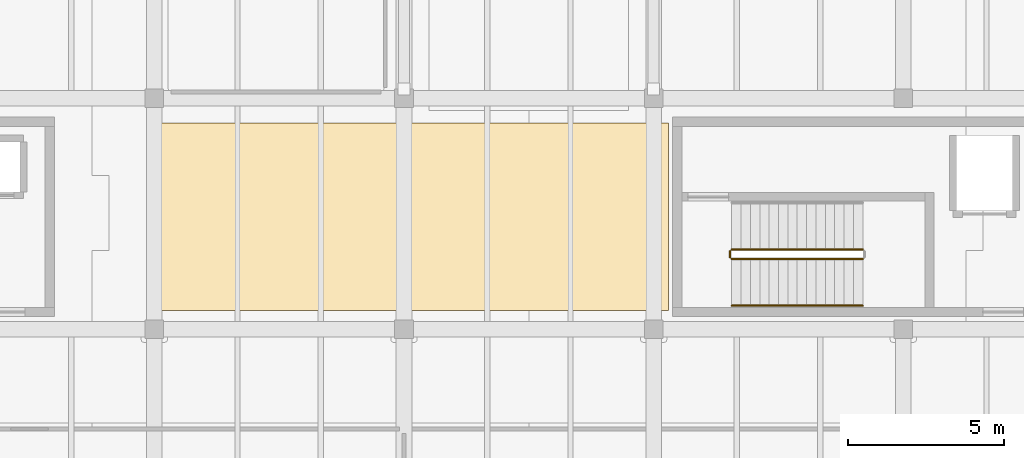
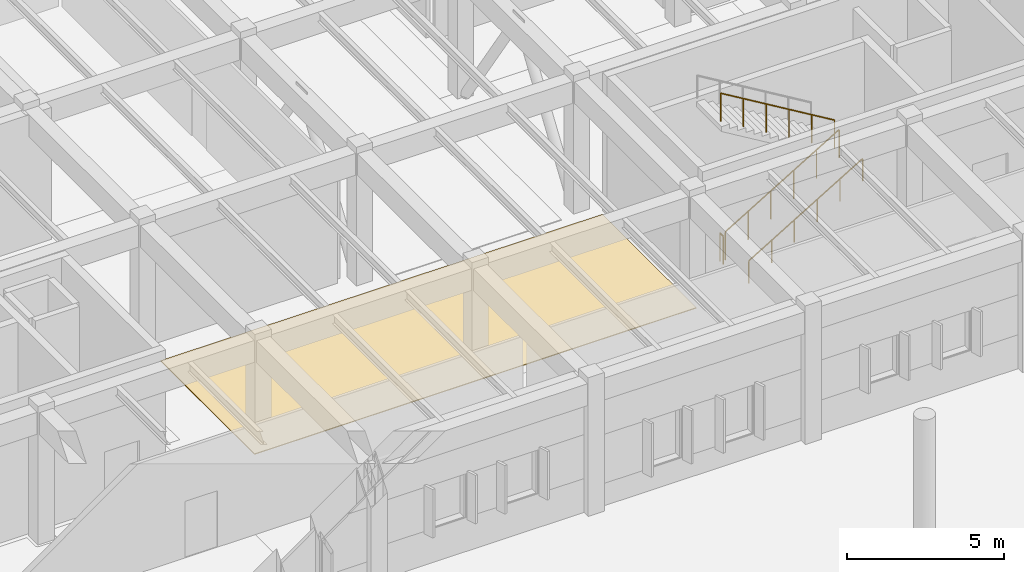
# One storey, part 48 of 56: 4 railings, 1 covering.
"""IFC4 building model written with IfcOpenShell, lengths in metres."""

from ifc_helpers import new_model, si_unit, direction, frame, origin, origin_2d, place, context, subcontext, project, spatial, polyline, circle, outline, extrude, material, layer, layer_set, type_object, element, save


model = new_model("IFC4")

# Units and contexts
model_context = context("Model", 3, precision=1e-05, world=origin(), true_north=direction((0.0, 1.0)))
body_context = subcontext(model_context, "Body", "Model", "MODEL_VIEW")
ifc_project = project(units=[si_unit("LENGTHUNIT", "METRE"), si_unit("AREAUNIT", "SQUARE_METRE"), si_unit("VOLUMEUNIT", "CUBIC_METRE"), si_unit("PLANEANGLEUNIT", "RADIAN"), si_unit("MASSUNIT", "GRAM", prefix="KILO")], contexts=[model_context])

# Site, building, storey
site_placement = place(None, origin())
site = spatial("IfcSite", under=ifc_project, at=site_placement, CompositionType="ELEMENT")
building_placement = place(site_placement, origin())
building = spatial("IfcBuilding", under=site, at=building_placement, Name="Valkorina Park Police Headquarters", CompositionType="ELEMENT")
storey_placement = place(building_placement, origin())
storey = spatial("IfcBuildingStorey", under=building, at=storey_placement, Name="L01", CompositionType="ELEMENT", Elevation=0.0)

# Covering
ifc_material_1 = material(Name="Resin terrazzo flooring")
ifc_layer = layer(ifc_material_1, 0.030029296875)
ifc_layer_set = layer_set([ifc_layer], Name="Resin terrazzo flooring")
covering_type = type_object("IfcCoveringType", Name="COV-FLOOR-TERRAZZO", PredefinedType="FLOORING", material=ifc_layer_set)
covering_placement = place(storey_placement, origin())
element("IfcCovering", 1, at=covering_placement, inside=storey, type_object=covering_type, Name="Gymnasium South Link Corridor Terrazzo Flooring", PredefinedType="FLOORING", context=body_context, shape_type="SweptSolid", body=[
    extrude(outline(polyline([(113.280029296875, 73.199951171875), (97.0, 73.199951171875), (97.0, 67.199951171875), (113.280029296875, 67.199951171875), (113.280029296875, 73.199951171875)])), origin(), (0.0, 0.0, 1.0), 0.030029296875),
])

# Railings
ifc_material_2 = material(Name="Stainless steel EN 1.4404", Category="steel")
railing_type_1 = type_object("IfcRailingType", Name="RL-GUARD-INT-1100", PredefinedType="BALUSTRADE", material=ifc_material_2)
railing_1_placement = place(storey_placement, frame((115.300048828125, 68.85009765625, 0.179931640625)))
element("IfcRailing", 2, at=railing_1_placement, inside=storey, type_object=railing_type_1, Name="L01 Core C5 Stair Guard 1", PredefinedType="BALUSTRADE", context=body_context, shape_type="SweptSolid", body=[
    extrude(circle(Radius=0.02392578125, at=origin_2d()), frame((0.0, 0.0, 1.09619140625), z_axis=(0.857488527567, 0.0, 0.514503085598), x_axis=(0.0, 1.0, 0.0)), (0.0, 0.0, 1.0), 4.89794921875),
    extrude(circle(Radius=0.02099609375, at=origin_2d()), origin(), (0.0, 0.0, 1.0), 1.072021484375),
    extrude(circle(Radius=0.02099609375, at=origin_2d()), frame((0.840087890625, 0.0, 0.50390625)), (0.0, 0.0, 1.0), 1.072021484375),
    extrude(circle(Radius=0.02099609375, at=origin_2d()), frame((1.679931640625, 0.0, 1.008056640625)), (0.0, 0.0, 1.0), 1.072021484375),
    extrude(circle(Radius=0.02099609375, at=origin_2d()), frame((2.52001953125, 0.0, 1.511962890625)), (0.0, 0.0, 1.0), 1.072021484375),
    extrude(circle(Radius=0.02099609375, at=origin_2d()), frame((3.35986328125, 0.0, 2.01611328125)), (0.0, 0.0, 1.0), 1.072021484375),
    extrude(circle(Radius=0.02099609375, at=origin_2d()), frame((4.199951171875, 0.0, 2.52001953125)), (0.0, 0.0, 1.0), 1.072021484375),
])
railing_2_placement = place(storey_placement, frame((119.5, 69.14990234375, 2.8798828125)))
element("IfcRailing", 3, at=railing_2_placement, inside=storey, type_object=railing_type_1, Name="L01 Core C5 Stair Guard 3", PredefinedType="BALUSTRADE", context=body_context, shape_type="SweptSolid", body=[
    extrude(circle(Radius=0.02392578125, at=origin_2d()), frame((0.0, 0.0, 1.09619140625), z_axis=(-0.857488527567, 0.0, 0.514503085598), x_axis=(0.0, -1.0, 0.0)), (0.0, 0.0, 1.0), 4.89794921875),
    extrude(circle(Radius=0.02099609375, at=origin_2d()), origin(), (0.0, 0.0, 1.0), 1.072021484375),
    extrude(circle(Radius=0.02099609375, at=origin_2d()), frame((-0.840087890625, 0.0, 0.50390625)), (0.0, 0.0, 1.0), 1.072021484375),
    extrude(circle(Radius=0.02099609375, at=origin_2d()), frame((-1.679931640625, 0.0, 1.008056640625)), (0.0, 0.0, 1.0), 1.072021484375),
    extrude(circle(Radius=0.02099609375, at=origin_2d()), frame((-2.52001953125, 0.0, 1.511962890625)), (0.0, 0.0, 1.0), 1.072021484375),
    extrude(circle(Radius=0.02099609375, at=origin_2d()), frame((-3.35986328125, 0.0, 2.01611328125)), (0.0, 0.0, 1.0), 1.072021484375),
    extrude(circle(Radius=0.02099609375, at=origin_2d()), frame((-4.199951171875, 0.0, 2.52001953125)), (0.0, 0.0, 1.0), 1.072021484375),
])
railing_3_placement = place(storey_placement, frame((115.25, 68.89990234375, 0.0)))
element("IfcRailing", 4, at=railing_3_placement, inside=storey, type_object=railing_type_1, Name="L01 Core C5 Stair Guard 4", PredefinedType="BALUSTRADE", context=body_context, shape_type="SweptSolid", body=[
    extrude(circle(Radius=0.02392578125, at=origin_2d()), frame((0.0, 0.0, 1.09619140625), z_axis=(0.0, 1.0, 0.0), x_axis=(-1.0, 0.0, 0.0)), (0.0, 0.0, 1.0), 0.2001953125),
    extrude(circle(Radius=0.02099609375, at=origin_2d()), origin(), (0.0, 0.0, 1.0), 1.072021484375),
    extrude(circle(Radius=0.02099609375, at=origin_2d()), frame((0.0, 0.2001953125, 0.0)), (0.0, 0.0, 1.0), 1.072021484375),
])
railing_type_2 = type_object("IfcRailingType", Name="RL-HANDRAIL-900", PredefinedType="HANDRAIL", material=ifc_material_2)
railing_4_placement = place(storey_placement, frame((115.300048828125, 67.35009765625, 0.179931640625)))
element("IfcRailing", 5, at=railing_4_placement, inside=storey, type_object=railing_type_2, Name="L01 Core C5 Stair Handrail 1", PredefinedType="HANDRAIL", context=body_context, shape_type="SweptSolid", body=[
    extrude(circle(Radius=0.02392578125, at=origin_2d()), frame((0.0, 0.0, 0.8759765625), z_axis=(0.857488527567, 0.0, 0.514503085598), x_axis=(0.0, 1.0, 0.0)), (0.0, 0.0, 1.0), 4.89794921875),
    extrude(circle(Radius=0.02099609375, at=origin_2d()), origin(), (0.0, 0.0, 1.0), 0.851806640625),
    extrude(circle(Radius=0.02099609375, at=origin_2d()), frame((0.840087890625, 0.0, 0.50390625)), (0.0, 0.0, 1.0), 0.851806640625),
    extrude(circle(Radius=0.02099609375, at=origin_2d()), frame((1.679931640625, 0.0, 1.008056640625)), (0.0, 0.0, 1.0), 0.851806640625),
    extrude(circle(Radius=0.02099609375, at=origin_2d()), frame((2.52001953125, 0.0, 1.511962890625)), (0.0, 0.0, 1.0), 0.851806640625),
    extrude(circle(Radius=0.02099609375, at=origin_2d()), frame((3.35986328125, 0.0, 2.01611328125)), (0.0, 0.0, 1.0), 0.851806640625),
    extrude(circle(Radius=0.02099609375, at=origin_2d()), frame((4.199951171875, 0.0, 2.52001953125)), (0.0, 0.0, 1.0), 0.851806640625),
])

save(model, "model.ifc")
